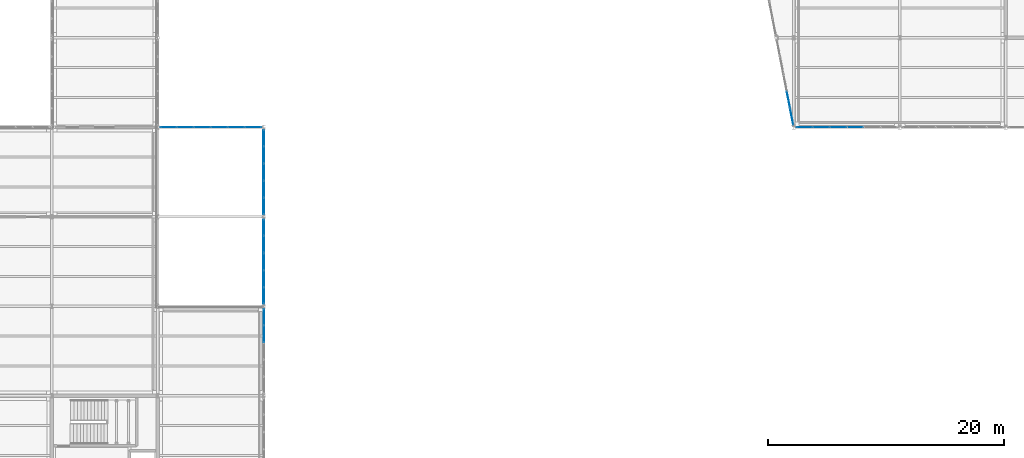
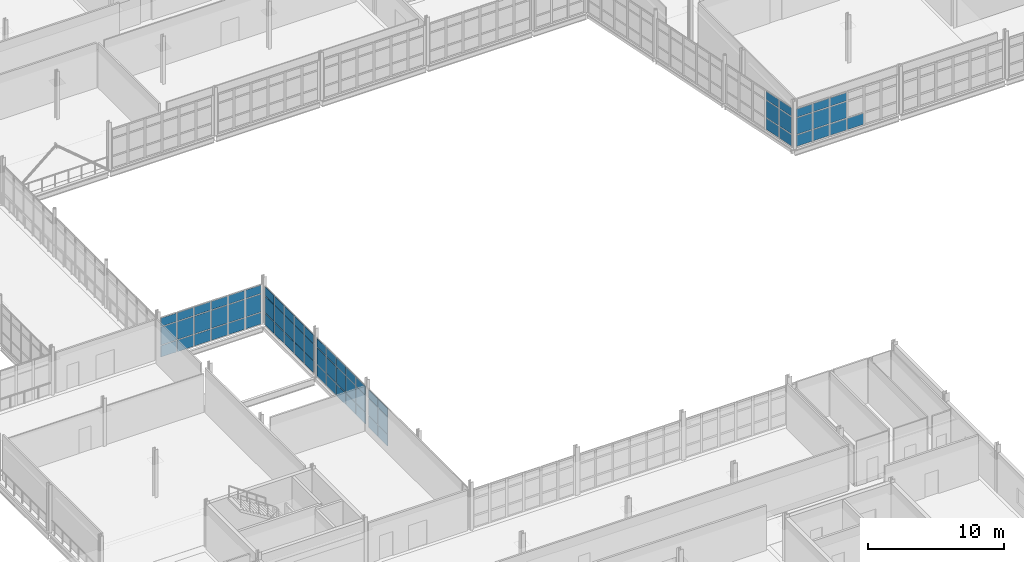
# One storey, part 133 of 174: 70 plates, 6 elements without a shape of their own.
"""IFC4 building model written with IfcOpenShell, lengths in metres."""

from ifc_helpers import new_model, si_unit, direction, frame, origin, origin_2d, place, context, subcontext, project, spatial, rectangle, extrude, material, layer, layer_set, type_object, element, aggregate, save


model = new_model("IFC4")

# Units and contexts
model_context = context("Model", 3, precision=1e-05, world=origin(), true_north=direction((0.0, 1.0)))
body_context = subcontext(model_context, "Body", "Model", "MODEL_VIEW")
ifc_project = project(units=[si_unit("LENGTHUNIT", "METRE"), si_unit("AREAUNIT", "SQUARE_METRE"), si_unit("VOLUMEUNIT", "CUBIC_METRE"), si_unit("PLANEANGLEUNIT", "RADIAN"), si_unit("MASSUNIT", "GRAM", prefix="KILO")], contexts=[model_context])

# Site, building, storey
site_placement = place(None, origin())
site = spatial("IfcSite", under=ifc_project, at=site_placement, CompositionType="ELEMENT")
building_placement = place(site_placement, origin())
building = spatial("IfcBuilding", under=site, at=building_placement, Name="Caisbarro Railhouse Central Library", CompositionType="ELEMENT")
storey_placement = place(building_placement, frame((0.0, 0.0, 5.0400390625)))
storey = spatial("IfcBuildingStorey", under=building, at=storey_placement, Name="L01", CompositionType="ELEMENT", Elevation=5.0400390625)

# Curtain wall, plates
ifc_material_1 = material(Name="Anodised architectural aluminium", Category="aluminium")
curtain_wall_type = type_object("IfcCurtainWallType", Name="CW-CW02", PredefinedType="NOTDEFINED", material=ifc_material_1)
curtain_wall_1_placement = place(storey_placement, origin())
curtain_wall_1 = element("IfcCurtainWall", 1, at=curtain_wall_1_placement, inside=storey, type_object=curtain_wall_type, Name="CW02 curtain wall L01 #110", PredefinedType="NOTDEFINED")
ifc_material_2 = material(Name="Double low-e laminated solar-control glass", Category="glass")
ifc_layer_1 = layer(ifc_material_2, 0.01806640625, Name="Double low-e laminated solar-control glass")
ifc_layer_set_1 = layer_set([ifc_layer_1], Name="Double low-e laminated solar-control glass")
plate_type_1 = type_object("IfcPlateType", Name="CWP-CP18", PredefinedType="CURTAIN_PANEL", material=ifc_layer_set_1)
plate_1_placement = place(storey_placement, frame((116.82421875, 61.7041015625, 0.06494140625), z_axis=(0.0, 0.0, 1.0), x_axis=(-0.190780945369, 0.981632635401, 0.0)))
plate_1 = element("IfcPlate", 2, at=plate_1_placement, type_object=plate_type_1, Name="CW02 panel 1.1", PredefinedType="CURTAIN_PANEL", context=body_context, shape_type="SweptSolid", body=[
    extrude(rectangle(XDim=1.371826171875, YDim=0.01806640625, at=origin_2d()), origin(), (0.0, 0.0, 1.0), 1.0224609375),
])
plate_2_placement = place(storey_placement, frame((116.82421875, 61.7041015625, 1.152587890625), z_axis=(0.0, 0.0, 1.0), x_axis=(-0.190780945369, 0.981632635401, 0.0)))
plate_2 = element("IfcPlate", 3, at=plate_2_placement, type_object=plate_type_1, Name="CW02 panel 1.2", PredefinedType="CURTAIN_PANEL", context=body_context, shape_type="SweptSolid", body=[
    extrude(rectangle(XDim=1.371826171875, YDim=0.01806640625, at=origin_2d()), origin(), (0.0, 0.0, 1.0), 1.52490234375),
])
plate_3_placement = place(storey_placement, frame((116.82421875, 61.7041015625, 2.742431640625), z_axis=(0.0, 0.0, 1.0), x_axis=(-0.190780945369, 0.981632635401, 0.0)))
plate_3 = element("IfcPlate", 4, at=plate_3_placement, type_object=plate_type_1, Name="CW02 panel 1.3", PredefinedType="CURTAIN_PANEL", context=body_context, shape_type="SweptSolid", body=[
    extrude(rectangle(XDim=1.371826171875, YDim=0.01806640625, at=origin_2d()), origin(), (0.0, 0.0, 1.0), 0.75244140625),
])
plate_4_placement = place(storey_placement, frame((116.544677734375, 63.142822265625, 0.06494140625), z_axis=(0.0, 0.0, 1.0), x_axis=(-0.190780945369, 0.981632635401, 0.0)))
plate_4 = element("IfcPlate", 5, at=plate_4_placement, type_object=plate_type_1, Name="CW02 panel 2.1", PredefinedType="CURTAIN_PANEL", context=body_context, shape_type="SweptSolid", body=[
    extrude(rectangle(XDim=1.409423828125, YDim=0.01806640625, at=origin_2d()), origin(), (0.0, 0.0, 1.0), 1.0224609375),
])
plate_5_placement = place(storey_placement, frame((116.544677734375, 63.142822265625, 1.152587890625), z_axis=(0.0, 0.0, 1.0), x_axis=(-0.190780945369, 0.981632635401, 0.0)))
plate_5 = element("IfcPlate", 6, at=plate_5_placement, type_object=plate_type_1, Name="CW02 panel 2.2", PredefinedType="CURTAIN_PANEL", context=body_context, shape_type="SweptSolid", body=[
    extrude(rectangle(XDim=1.409423828125, YDim=0.01806640625, at=origin_2d()), origin(), (0.0, 0.0, 1.0), 1.52490234375),
])
plate_6_placement = place(storey_placement, frame((116.544677734375, 63.142822265625, 2.742431640625), z_axis=(0.0, 0.0, 1.0), x_axis=(-0.190780945369, 0.981632635401, 0.0)))
plate_6 = element("IfcPlate", 7, at=plate_6_placement, type_object=plate_type_1, Name="CW02 panel 2.3", PredefinedType="CURTAIN_PANEL", context=body_context, shape_type="SweptSolid", body=[
    extrude(rectangle(XDim=1.409423828125, YDim=0.01806640625, at=origin_2d()), origin(), (0.0, 0.0, 1.0), 0.75244140625),
])
aggregate(curtain_wall_1, [plate_1, plate_2, plate_3, plate_4, plate_5, plate_6])

curtain_wall_2_placement = place(storey_placement, origin())
curtain_wall_2 = element("IfcCurtainWall", 8, at=curtain_wall_2_placement, inside=storey, type_object=curtain_wall_type, Name="CW02 curtain wall L01 #19", PredefinedType="NOTDEFINED")
ifc_layer_2 = layer(ifc_material_2, 0.028076171875, Name="Double low-e laminated solar-control glass")
ifc_layer_set_2 = layer_set([ifc_layer_2], Name="Double low-e laminated solar-control glass")
plate_type_2 = type_object("IfcPlateType", Name="CWP-CP28", PredefinedType="CURTAIN_PANEL", material=ifc_layer_set_2)
plate_7_placement = place(storey_placement, frame((63.902099609375, 60.800048828125, 0.06494140625), z_axis=(0.0, 0.0, 1.0), x_axis=(1.0, 0.0, 0.0)))
plate_7 = element("IfcPlate", 9, at=plate_7_placement, type_object=plate_type_2, Name="CW02 panel 1.1", PredefinedType="CURTAIN_PANEL", context=body_context, shape_type="SweptSolid", body=[
    extrude(rectangle(XDim=1.334228515625, YDim=0.028076171875, at=origin_2d()), origin(), (0.0, 0.0, 1.0), 1.0224609375),
])
plate_8_placement = place(storey_placement, frame((63.902099609375, 60.800048828125, 1.15234375), z_axis=(0.0, 0.0, 1.0), x_axis=(1.0, 0.0, 0.0)))
plate_8 = element("IfcPlate", 10, at=plate_8_placement, type_object=plate_type_2, Name="CW02 panel 1.2", PredefinedType="CURTAIN_PANEL", context=body_context, shape_type="SweptSolid", body=[
    extrude(rectangle(XDim=1.334228515625, YDim=0.028076171875, at=origin_2d()), origin(), (0.0, 0.0, 1.0), 1.594970703125),
])
plate_9_placement = place(storey_placement, frame((63.902099609375, 60.800048828125, 2.8125), z_axis=(0.0, 0.0, 1.0), x_axis=(1.0, 0.0, 0.0)))
plate_9 = element("IfcPlate", 11, at=plate_9_placement, type_object=plate_type_2, Name="CW02 panel 1.3", PredefinedType="CURTAIN_PANEL", context=body_context, shape_type="SweptSolid", body=[
    extrude(rectangle(XDim=1.334228515625, YDim=0.028076171875, at=origin_2d()), origin(), (0.0, 0.0, 1.0), 0.75244140625),
])
plate_10_placement = place(storey_placement, frame((65.330078125, 60.800048828125, 0.06494140625), z_axis=(0.0, 0.0, 1.0), x_axis=(1.0, 0.0, 0.0)))
plate_10 = element("IfcPlate", 12, at=plate_10_placement, type_object=plate_type_2, Name="CW02 panel 2.1", PredefinedType="CURTAIN_PANEL", context=body_context, shape_type="SweptSolid", body=[
    extrude(rectangle(XDim=1.37158203125, YDim=0.028076171875, at=origin_2d()), origin(), (0.0, 0.0, 1.0), 1.0224609375),
])
plate_11_placement = place(storey_placement, frame((65.330078125, 60.800048828125, 1.15234375), z_axis=(0.0, 0.0, 1.0), x_axis=(1.0, 0.0, 0.0)))
plate_11 = element("IfcPlate", 13, at=plate_11_placement, type_object=plate_type_2, Name="CW02 panel 2.2", PredefinedType="CURTAIN_PANEL", context=body_context, shape_type="SweptSolid", body=[
    extrude(rectangle(XDim=1.37158203125, YDim=0.028076171875, at=origin_2d()), origin(), (0.0, 0.0, 1.0), 1.594970703125),
])
plate_12_placement = place(storey_placement, frame((65.330078125, 60.800048828125, 2.8125), z_axis=(0.0, 0.0, 1.0), x_axis=(1.0, 0.0, 0.0)))
plate_12 = element("IfcPlate", 14, at=plate_12_placement, type_object=plate_type_2, Name="CW02 panel 2.3", PredefinedType="CURTAIN_PANEL", context=body_context, shape_type="SweptSolid", body=[
    extrude(rectangle(XDim=1.37158203125, YDim=0.028076171875, at=origin_2d()), origin(), (0.0, 0.0, 1.0), 0.75244140625),
])
plate_13_placement = place(storey_placement, frame((66.776611328125, 60.800048828125, 0.06494140625), z_axis=(0.0, 0.0, 1.0), x_axis=(1.0, 0.0, 0.0)))
plate_13 = element("IfcPlate", 15, at=plate_13_placement, type_object=plate_type_2, Name="CW02 panel 3.1", PredefinedType="CURTAIN_PANEL", context=body_context, shape_type="SweptSolid", body=[
    extrude(rectangle(XDim=1.37158203125, YDim=0.028076171875, at=origin_2d()), origin(), (0.0, 0.0, 1.0), 1.0224609375),
])
plate_14_placement = place(storey_placement, frame((66.776611328125, 60.800048828125, 1.15234375), z_axis=(0.0, 0.0, 1.0), x_axis=(1.0, 0.0, 0.0)))
plate_14 = element("IfcPlate", 16, at=plate_14_placement, type_object=plate_type_2, Name="CW02 panel 3.2", PredefinedType="CURTAIN_PANEL", context=body_context, shape_type="SweptSolid", body=[
    extrude(rectangle(XDim=1.37158203125, YDim=0.028076171875, at=origin_2d()), origin(), (0.0, 0.0, 1.0), 1.594970703125),
])
plate_15_placement = place(storey_placement, frame((66.776611328125, 60.800048828125, 2.8125), z_axis=(0.0, 0.0, 1.0), x_axis=(1.0, 0.0, 0.0)))
plate_15 = element("IfcPlate", 17, at=plate_15_placement, type_object=plate_type_2, Name="CW02 panel 3.3", PredefinedType="CURTAIN_PANEL", context=body_context, shape_type="SweptSolid", body=[
    extrude(rectangle(XDim=1.37158203125, YDim=0.028076171875, at=origin_2d()), origin(), (0.0, 0.0, 1.0), 0.75244140625),
])
plate_16_placement = place(storey_placement, frame((68.223388671875, 60.800048828125, 0.06494140625), z_axis=(0.0, 0.0, 1.0), x_axis=(1.0, 0.0, 0.0)))
plate_16 = element("IfcPlate", 18, at=plate_16_placement, type_object=plate_type_2, Name="CW02 panel 4.1", PredefinedType="CURTAIN_PANEL", context=body_context, shape_type="SweptSolid", body=[
    extrude(rectangle(XDim=1.37158203125, YDim=0.028076171875, at=origin_2d()), origin(), (0.0, 0.0, 1.0), 1.0224609375),
])
plate_17_placement = place(storey_placement, frame((68.223388671875, 60.800048828125, 1.15234375), z_axis=(0.0, 0.0, 1.0), x_axis=(1.0, 0.0, 0.0)))
plate_17 = element("IfcPlate", 19, at=plate_17_placement, type_object=plate_type_2, Name="CW02 panel 4.2", PredefinedType="CURTAIN_PANEL", context=body_context, shape_type="SweptSolid", body=[
    extrude(rectangle(XDim=1.37158203125, YDim=0.028076171875, at=origin_2d()), origin(), (0.0, 0.0, 1.0), 1.594970703125),
])
plate_18_placement = place(storey_placement, frame((68.223388671875, 60.800048828125, 2.8125), z_axis=(0.0, 0.0, 1.0), x_axis=(1.0, 0.0, 0.0)))
plate_18 = element("IfcPlate", 20, at=plate_18_placement, type_object=plate_type_2, Name="CW02 panel 4.3", PredefinedType="CURTAIN_PANEL", context=body_context, shape_type="SweptSolid", body=[
    extrude(rectangle(XDim=1.37158203125, YDim=0.028076171875, at=origin_2d()), origin(), (0.0, 0.0, 1.0), 0.75244140625),
])
plate_19_placement = place(storey_placement, frame((69.669921875, 60.800048828125, 0.06494140625), z_axis=(0.0, 0.0, 1.0), x_axis=(1.0, 0.0, 0.0)))
plate_19 = element("IfcPlate", 21, at=plate_19_placement, type_object=plate_type_2, Name="CW02 panel 5.1", PredefinedType="CURTAIN_PANEL", context=body_context, shape_type="SweptSolid", body=[
    extrude(rectangle(XDim=1.37158203125, YDim=0.028076171875, at=origin_2d()), origin(), (0.0, 0.0, 1.0), 1.0224609375),
])
plate_20_placement = place(storey_placement, frame((69.669921875, 60.800048828125, 1.15234375), z_axis=(0.0, 0.0, 1.0), x_axis=(1.0, 0.0, 0.0)))
plate_20 = element("IfcPlate", 22, at=plate_20_placement, type_object=plate_type_2, Name="CW02 panel 5.2", PredefinedType="CURTAIN_PANEL", context=body_context, shape_type="SweptSolid", body=[
    extrude(rectangle(XDim=1.37158203125, YDim=0.028076171875, at=origin_2d()), origin(), (0.0, 0.0, 1.0), 1.594970703125),
])
plate_21_placement = place(storey_placement, frame((69.669921875, 60.800048828125, 2.8125), z_axis=(0.0, 0.0, 1.0), x_axis=(1.0, 0.0, 0.0)))
plate_21 = element("IfcPlate", 23, at=plate_21_placement, type_object=plate_type_2, Name="CW02 panel 5.3", PredefinedType="CURTAIN_PANEL", context=body_context, shape_type="SweptSolid", body=[
    extrude(rectangle(XDim=1.37158203125, YDim=0.028076171875, at=origin_2d()), origin(), (0.0, 0.0, 1.0), 0.75244140625),
])
plate_22_placement = place(storey_placement, frame((71.097900390625, 60.800048828125, 0.06494140625), z_axis=(0.0, 0.0, 1.0), x_axis=(1.0, 0.0, 0.0)))
plate_22 = element("IfcPlate", 24, at=plate_22_placement, type_object=plate_type_2, Name="CW02 panel 6.1", PredefinedType="CURTAIN_PANEL", context=body_context, shape_type="SweptSolid", body=[
    extrude(rectangle(XDim=1.334228515625, YDim=0.028076171875, at=origin_2d()), origin(), (0.0, 0.0, 1.0), 1.0224609375),
])
plate_23_placement = place(storey_placement, frame((71.097900390625, 60.800048828125, 1.15234375), z_axis=(0.0, 0.0, 1.0), x_axis=(1.0, 0.0, 0.0)))
plate_23 = element("IfcPlate", 25, at=plate_23_placement, type_object=plate_type_2, Name="CW02 panel 6.2", PredefinedType="CURTAIN_PANEL", context=body_context, shape_type="SweptSolid", body=[
    extrude(rectangle(XDim=1.334228515625, YDim=0.028076171875, at=origin_2d()), origin(), (0.0, 0.0, 1.0), 1.594970703125),
])
plate_24_placement = place(storey_placement, frame((71.097900390625, 60.800048828125, 2.8125), z_axis=(0.0, 0.0, 1.0), x_axis=(1.0, 0.0, 0.0)))
plate_24 = element("IfcPlate", 26, at=plate_24_placement, type_object=plate_type_2, Name="CW02 panel 6.3", PredefinedType="CURTAIN_PANEL", context=body_context, shape_type="SweptSolid", body=[
    extrude(rectangle(XDim=1.334228515625, YDim=0.028076171875, at=origin_2d()), origin(), (0.0, 0.0, 1.0), 0.75244140625),
])
aggregate(curtain_wall_2, [plate_7, plate_8, plate_9, plate_10, plate_11, plate_12, plate_13, plate_14, plate_15, plate_16, plate_17, plate_18, plate_19, plate_20, plate_21, plate_22, plate_23, plate_24])

curtain_wall_3_placement = place(storey_placement, origin())
curtain_wall_3 = element("IfcCurtainWall", 27, at=curtain_wall_3_placement, inside=storey, type_object=curtain_wall_type, Name="CW02 curtain wall L01 #117", PredefinedType="NOTDEFINED")
plate_25_placement = place(storey_placement, frame((117.902099609375, 60.800048828125, 0.07470703125), z_axis=(0.0, 0.0, 1.0), x_axis=(1.0, 0.0, 0.0)))
plate_25 = element("IfcPlate", 28, at=plate_25_placement, type_object=plate_type_2, Name="CW02 panel 1.1", PredefinedType="CURTAIN_PANEL", context=body_context, shape_type="SweptSolid", body=[
    extrude(rectangle(XDim=1.334228515625, YDim=0.028076171875, at=origin_2d()), origin(), (0.0, 0.0, 1.0), 1.007568359375),
])
plate_26_placement = place(storey_placement, frame((117.902099609375, 60.800048828125, 1.1572265625), z_axis=(0.0, 0.0, 1.0), x_axis=(1.0, 0.0, 0.0)))
plate_26 = element("IfcPlate", 29, at=plate_26_placement, type_object=plate_type_2, Name="CW02 panel 1.2", PredefinedType="CURTAIN_PANEL", context=body_context, shape_type="SweptSolid", body=[
    extrude(rectangle(XDim=1.334228515625, YDim=0.028076171875, at=origin_2d()), origin(), (0.0, 0.0, 1.0), 1.465087890625),
])
plate_27_placement = place(storey_placement, frame((117.902099609375, 60.800048828125, 2.697265625), z_axis=(0.0, 0.0, 1.0), x_axis=(1.0, 0.0, 0.0)))
plate_27 = element("IfcPlate", 30, at=plate_27_placement, type_object=plate_type_2, Name="CW02 panel 1.3", PredefinedType="CURTAIN_PANEL", context=body_context, shape_type="SweptSolid", body=[
    extrude(rectangle(XDim=1.334228515625, YDim=0.028076171875, at=origin_2d()), origin(), (0.0, 0.0, 1.0), 0.737548828125),
])
plate_28_placement = place(storey_placement, frame((119.330078125, 60.800048828125, 0.07470703125), z_axis=(0.0, 0.0, 1.0), x_axis=(1.0, 0.0, 0.0)))
plate_28 = element("IfcPlate", 31, at=plate_28_placement, type_object=plate_type_2, Name="CW02 panel 2.1", PredefinedType="CURTAIN_PANEL", context=body_context, shape_type="SweptSolid", body=[
    extrude(rectangle(XDim=1.37158203125, YDim=0.028076171875, at=origin_2d()), origin(), (0.0, 0.0, 1.0), 1.007568359375),
])
plate_29_placement = place(storey_placement, frame((119.330078125, 60.800048828125, 1.1572265625), z_axis=(0.0, 0.0, 1.0), x_axis=(1.0, 0.0, 0.0)))
plate_29 = element("IfcPlate", 32, at=plate_29_placement, type_object=plate_type_2, Name="CW02 panel 2.2", PredefinedType="CURTAIN_PANEL", context=body_context, shape_type="SweptSolid", body=[
    extrude(rectangle(XDim=1.37158203125, YDim=0.028076171875, at=origin_2d()), origin(), (0.0, 0.0, 1.0), 1.465087890625),
])
plate_30_placement = place(storey_placement, frame((119.330078125, 60.800048828125, 2.697265625), z_axis=(0.0, 0.0, 1.0), x_axis=(1.0, 0.0, 0.0)))
plate_30 = element("IfcPlate", 33, at=plate_30_placement, type_object=plate_type_2, Name="CW02 panel 2.3", PredefinedType="CURTAIN_PANEL", context=body_context, shape_type="SweptSolid", body=[
    extrude(rectangle(XDim=1.37158203125, YDim=0.028076171875, at=origin_2d()), origin(), (0.0, 0.0, 1.0), 0.737548828125),
])
plate_31_placement = place(storey_placement, frame((120.776611328125, 60.800048828125, 0.07470703125), z_axis=(0.0, 0.0, 1.0), x_axis=(1.0, 0.0, 0.0)))
plate_31 = element("IfcPlate", 34, at=plate_31_placement, type_object=plate_type_2, Name="CW02 panel 3.1", PredefinedType="CURTAIN_PANEL", context=body_context, shape_type="SweptSolid", body=[
    extrude(rectangle(XDim=1.37158203125, YDim=0.028076171875, at=origin_2d()), origin(), (0.0, 0.0, 1.0), 1.007568359375),
])
plate_32_placement = place(storey_placement, frame((120.776611328125, 60.800048828125, 1.1572265625), z_axis=(0.0, 0.0, 1.0), x_axis=(1.0, 0.0, 0.0)))
plate_32 = element("IfcPlate", 35, at=plate_32_placement, type_object=plate_type_2, Name="CW02 panel 3.2", PredefinedType="CURTAIN_PANEL", context=body_context, shape_type="SweptSolid", body=[
    extrude(rectangle(XDim=1.37158203125, YDim=0.028076171875, at=origin_2d()), origin(), (0.0, 0.0, 1.0), 1.465087890625),
])
plate_33_placement = place(storey_placement, frame((120.776611328125, 60.800048828125, 2.697265625), z_axis=(0.0, 0.0, 1.0), x_axis=(1.0, 0.0, 0.0)))
plate_33 = element("IfcPlate", 36, at=plate_33_placement, type_object=plate_type_2, Name="CW02 panel 3.3", PredefinedType="CURTAIN_PANEL", context=body_context, shape_type="SweptSolid", body=[
    extrude(rectangle(XDim=1.37158203125, YDim=0.028076171875, at=origin_2d()), origin(), (0.0, 0.0, 1.0), 0.737548828125),
])
plate_34_placement = place(storey_placement, frame((122.223388671875, 60.800048828125, 0.07470703125), z_axis=(0.0, 0.0, 1.0), x_axis=(1.0, 0.0, 0.0)))
plate_34 = element("IfcPlate", 37, at=plate_34_placement, type_object=plate_type_2, Name="CW02 panel 4.1", PredefinedType="CURTAIN_PANEL", context=body_context, shape_type="SweptSolid", body=[
    extrude(rectangle(XDim=1.37158203125, YDim=0.028076171875, at=origin_2d()), origin(), (0.0, 0.0, 1.0), 1.007568359375),
])
aggregate(curtain_wall_3, [plate_25, plate_26, plate_27, plate_28, plate_29, plate_30, plate_31, plate_32, plate_33, plate_34])

curtain_wall_4_placement = place(storey_placement, origin())
curtain_wall_4 = element("IfcCurtainWall", 38, at=curtain_wall_4_placement, inside=storey, type_object=curtain_wall_type, Name="CW02 curtain wall L01 #31", PredefinedType="NOTDEFINED")
ifc_layer_3 = layer(ifc_material_2, 0.048095703125, Name="Double low-e laminated solar-control glass")
ifc_layer_set_3 = layer_set([ifc_layer_3], Name="Double low-e laminated solar-control glass")
plate_type_3 = type_object("IfcPlateType", Name="CWP-CP48", PredefinedType="CURTAIN_PANEL", material=ifc_layer_set_3)
plate_35_placement = place(storey_placement, frame((72.0, 43.256103515625, 0.06494140625), z_axis=(0.0, 0.0, 1.0), x_axis=(0.0, 1.0, 0.0)))
plate_35 = element("IfcPlate", 39, at=plate_35_placement, type_object=plate_type_3, Name="CW02 panel 4.1", PredefinedType="CURTAIN_PANEL", context=body_context, shape_type="SweptSolid", body=[
    extrude(rectangle(XDim=1.381103515625, YDim=0.048095703125, at=origin_2d()), origin(), (0.0, 0.0, 1.0), 1.0224609375),
])
plate_36_placement = place(storey_placement, frame((72.0, 43.256103515625, 1.15234375), z_axis=(0.0, 0.0, 1.0), x_axis=(0.0, 1.0, 0.0)))
plate_36 = element("IfcPlate", 40, at=plate_36_placement, type_object=plate_type_3, Name="CW02 panel 4.2", PredefinedType="CURTAIN_PANEL", context=body_context, shape_type="SweptSolid", body=[
    extrude(rectangle(XDim=1.381103515625, YDim=0.048095703125, at=origin_2d()), origin(), (0.0, 0.0, 1.0), 1.47509765625),
])
plate_37_placement = place(storey_placement, frame((72.0, 43.256103515625, 2.6923828125), z_axis=(0.0, 0.0, 1.0), x_axis=(0.0, 1.0, 0.0)))
plate_37 = element("IfcPlate", 41, at=plate_37_placement, type_object=plate_type_3, Name="CW02 panel 4.3", PredefinedType="CURTAIN_PANEL", context=body_context, shape_type="SweptSolid", body=[
    extrude(rectangle(XDim=1.381103515625, YDim=0.048095703125, at=origin_2d()), origin(), (0.0, 0.0, 1.0), 0.75244140625),
])
plate_38_placement = place(storey_placement, frame((72.0, 44.693359375, 0.06494140625), z_axis=(0.0, 0.0, 1.0), x_axis=(0.0, 1.0, 0.0)))
plate_38 = element("IfcPlate", 42, at=plate_38_placement, type_object=plate_type_3, Name="CW02 panel 5.1", PredefinedType="CURTAIN_PANEL", context=body_context, shape_type="SweptSolid", body=[
    extrude(rectangle(XDim=1.343505859375, YDim=0.048095703125, at=origin_2d()), origin(), (0.0, 0.0, 1.0), 1.0224609375),
])
plate_39_placement = place(storey_placement, frame((72.0, 44.693359375, 1.15234375), z_axis=(0.0, 0.0, 1.0), x_axis=(0.0, 1.0, 0.0)))
plate_39 = element("IfcPlate", 43, at=plate_39_placement, type_object=plate_type_3, Name="CW02 panel 5.2", PredefinedType="CURTAIN_PANEL", context=body_context, shape_type="SweptSolid", body=[
    extrude(rectangle(XDim=1.343505859375, YDim=0.048095703125, at=origin_2d()), origin(), (0.0, 0.0, 1.0), 1.47509765625),
])
plate_40_placement = place(storey_placement, frame((72.0, 44.693359375, 2.6923828125), z_axis=(0.0, 0.0, 1.0), x_axis=(0.0, 1.0, 0.0)))
plate_40 = element("IfcPlate", 44, at=plate_40_placement, type_object=plate_type_3, Name="CW02 panel 5.3", PredefinedType="CURTAIN_PANEL", context=body_context, shape_type="SweptSolid", body=[
    extrude(rectangle(XDim=1.343505859375, YDim=0.048095703125, at=origin_2d()), origin(), (0.0, 0.0, 1.0), 0.75244140625),
])
aggregate(curtain_wall_4, [plate_35, plate_36, plate_37, plate_38, plate_39, plate_40])

curtain_wall_5_placement = place(storey_placement, origin())
curtain_wall_5 = element("IfcCurtainWall", 45, at=curtain_wall_5_placement, inside=storey, type_object=curtain_wall_type, Name="CW02 curtain wall L01 #32", PredefinedType="NOTDEFINED")
ifc_layer_4 = layer(ifc_material_2, 0.05810546875, Name="Double low-e laminated solar-control glass")
ifc_layer_set_4 = layer_set([ifc_layer_4], Name="Double low-e laminated solar-control glass")
plate_type_4 = type_object("IfcPlateType", Name="CWP-CP58", PredefinedType="CURTAIN_PANEL", material=ifc_layer_set_4)
plate_41_placement = place(storey_placement, frame((72.0, 46.5068359375, 0.06494140625), z_axis=(0.0, 0.0, 1.0), x_axis=(0.0, 1.0, 0.0)))
plate_41 = element("IfcPlate", 46, at=plate_41_placement, type_object=plate_type_4, Name="CW02 panel 1.1", PredefinedType="CURTAIN_PANEL", context=body_context, shape_type="SweptSolid", body=[
    extrude(rectangle(XDim=1.343505859375, YDim=0.05810546875, at=origin_2d()), origin(), (0.0, 0.0, 1.0), 1.0224609375),
])
plate_42_placement = place(storey_placement, frame((72.0, 46.5068359375, 1.15234375), z_axis=(0.0, 0.0, 1.0), x_axis=(0.0, 1.0, 0.0)))
plate_42 = element("IfcPlate", 47, at=plate_42_placement, type_object=plate_type_4, Name="CW02 panel 1.2", PredefinedType="CURTAIN_PANEL", context=body_context, shape_type="SweptSolid", body=[
    extrude(rectangle(XDim=1.343505859375, YDim=0.05810546875, at=origin_2d()), origin(), (0.0, 0.0, 1.0), 1.47509765625),
])
plate_43_placement = place(storey_placement, frame((72.0, 46.5068359375, 2.6923828125), z_axis=(0.0, 0.0, 1.0), x_axis=(0.0, 1.0, 0.0)))
plate_43 = element("IfcPlate", 48, at=plate_43_placement, type_object=plate_type_4, Name="CW02 panel 1.3", PredefinedType="CURTAIN_PANEL", context=body_context, shape_type="SweptSolid", body=[
    extrude(rectangle(XDim=1.343505859375, YDim=0.05810546875, at=origin_2d()), origin(), (0.0, 0.0, 1.0), 0.75244140625),
])
plate_44_placement = place(storey_placement, frame((72.0, 47.944091796875, 0.06494140625), z_axis=(0.0, 0.0, 1.0), x_axis=(0.0, 1.0, 0.0)))
plate_44 = element("IfcPlate", 49, at=plate_44_placement, type_object=plate_type_4, Name="CW02 panel 2.1", PredefinedType="CURTAIN_PANEL", context=body_context, shape_type="SweptSolid", body=[
    extrude(rectangle(XDim=1.381103515625, YDim=0.05810546875, at=origin_2d()), origin(), (0.0, 0.0, 1.0), 1.0224609375),
])
plate_45_placement = place(storey_placement, frame((72.0, 47.944091796875, 1.15234375), z_axis=(0.0, 0.0, 1.0), x_axis=(0.0, 1.0, 0.0)))
plate_45 = element("IfcPlate", 50, at=plate_45_placement, type_object=plate_type_4, Name="CW02 panel 2.2", PredefinedType="CURTAIN_PANEL", context=body_context, shape_type="SweptSolid", body=[
    extrude(rectangle(XDim=1.381103515625, YDim=0.05810546875, at=origin_2d()), origin(), (0.0, 0.0, 1.0), 1.47509765625),
])
plate_46_placement = place(storey_placement, frame((72.0, 47.944091796875, 2.6923828125), z_axis=(0.0, 0.0, 1.0), x_axis=(0.0, 1.0, 0.0)))
plate_46 = element("IfcPlate", 51, at=plate_46_placement, type_object=plate_type_4, Name="CW02 panel 2.3", PredefinedType="CURTAIN_PANEL", context=body_context, shape_type="SweptSolid", body=[
    extrude(rectangle(XDim=1.381103515625, YDim=0.05810546875, at=origin_2d()), origin(), (0.0, 0.0, 1.0), 0.75244140625),
])
plate_47_placement = place(storey_placement, frame((72.0, 49.39990234375, 0.06494140625), z_axis=(0.0, 0.0, 1.0), x_axis=(0.0, 1.0, 0.0)))
plate_47 = element("IfcPlate", 52, at=plate_47_placement, type_object=plate_type_4, Name="CW02 panel 3.1", PredefinedType="CURTAIN_PANEL", context=body_context, shape_type="SweptSolid", body=[
    extrude(rectangle(XDim=1.381103515625, YDim=0.05810546875, at=origin_2d()), origin(), (0.0, 0.0, 1.0), 1.0224609375),
])
plate_48_placement = place(storey_placement, frame((72.0, 49.39990234375, 1.15234375), z_axis=(0.0, 0.0, 1.0), x_axis=(0.0, 1.0, 0.0)))
plate_48 = element("IfcPlate", 53, at=plate_48_placement, type_object=plate_type_4, Name="CW02 panel 3.2", PredefinedType="CURTAIN_PANEL", context=body_context, shape_type="SweptSolid", body=[
    extrude(rectangle(XDim=1.381103515625, YDim=0.05810546875, at=origin_2d()), origin(), (0.0, 0.0, 1.0), 1.47509765625),
])
plate_49_placement = place(storey_placement, frame((72.0, 49.39990234375, 2.6923828125), z_axis=(0.0, 0.0, 1.0), x_axis=(0.0, 1.0, 0.0)))
plate_49 = element("IfcPlate", 54, at=plate_49_placement, type_object=plate_type_4, Name="CW02 panel 3.3", PredefinedType="CURTAIN_PANEL", context=body_context, shape_type="SweptSolid", body=[
    extrude(rectangle(XDim=1.381103515625, YDim=0.05810546875, at=origin_2d()), origin(), (0.0, 0.0, 1.0), 0.75244140625),
])
plate_50_placement = place(storey_placement, frame((72.0, 50.85595703125, 0.06494140625), z_axis=(0.0, 0.0, 1.0), x_axis=(0.0, 1.0, 0.0)))
plate_50 = element("IfcPlate", 55, at=plate_50_placement, type_object=plate_type_4, Name="CW02 panel 4.1", PredefinedType="CURTAIN_PANEL", context=body_context, shape_type="SweptSolid", body=[
    extrude(rectangle(XDim=1.381103515625, YDim=0.05810546875, at=origin_2d()), origin(), (0.0, 0.0, 1.0), 1.0224609375),
])
plate_51_placement = place(storey_placement, frame((72.0, 50.85595703125, 1.15234375), z_axis=(0.0, 0.0, 1.0), x_axis=(0.0, 1.0, 0.0)))
plate_51 = element("IfcPlate", 56, at=plate_51_placement, type_object=plate_type_4, Name="CW02 panel 4.2", PredefinedType="CURTAIN_PANEL", context=body_context, shape_type="SweptSolid", body=[
    extrude(rectangle(XDim=1.381103515625, YDim=0.05810546875, at=origin_2d()), origin(), (0.0, 0.0, 1.0), 1.47509765625),
])
plate_52_placement = place(storey_placement, frame((72.0, 50.85595703125, 2.6923828125), z_axis=(0.0, 0.0, 1.0), x_axis=(0.0, 1.0, 0.0)))
plate_52 = element("IfcPlate", 57, at=plate_52_placement, type_object=plate_type_4, Name="CW02 panel 4.3", PredefinedType="CURTAIN_PANEL", context=body_context, shape_type="SweptSolid", body=[
    extrude(rectangle(XDim=1.381103515625, YDim=0.05810546875, at=origin_2d()), origin(), (0.0, 0.0, 1.0), 0.75244140625),
])
plate_53_placement = place(storey_placement, frame((72.0, 52.293212890625, 0.06494140625), z_axis=(0.0, 0.0, 1.0), x_axis=(0.0, 1.0, 0.0)))
plate_53 = element("IfcPlate", 58, at=plate_53_placement, type_object=plate_type_4, Name="CW02 panel 5.1", PredefinedType="CURTAIN_PANEL", context=body_context, shape_type="SweptSolid", body=[
    extrude(rectangle(XDim=1.343505859375, YDim=0.05810546875, at=origin_2d()), origin(), (0.0, 0.0, 1.0), 1.0224609375),
])
plate_54_placement = place(storey_placement, frame((72.0, 52.293212890625, 1.15234375), z_axis=(0.0, 0.0, 1.0), x_axis=(0.0, 1.0, 0.0)))
plate_54 = element("IfcPlate", 59, at=plate_54_placement, type_object=plate_type_4, Name="CW02 panel 5.2", PredefinedType="CURTAIN_PANEL", context=body_context, shape_type="SweptSolid", body=[
    extrude(rectangle(XDim=1.343505859375, YDim=0.05810546875, at=origin_2d()), origin(), (0.0, 0.0, 1.0), 1.47509765625),
])
plate_55_placement = place(storey_placement, frame((72.0, 52.293212890625, 2.6923828125), z_axis=(0.0, 0.0, 1.0), x_axis=(0.0, 1.0, 0.0)))
plate_55 = element("IfcPlate", 60, at=plate_55_placement, type_object=plate_type_4, Name="CW02 panel 5.3", PredefinedType="CURTAIN_PANEL", context=body_context, shape_type="SweptSolid", body=[
    extrude(rectangle(XDim=1.343505859375, YDim=0.05810546875, at=origin_2d()), origin(), (0.0, 0.0, 1.0), 0.75244140625),
])
aggregate(curtain_wall_5, [plate_41, plate_42, plate_43, plate_44, plate_45, plate_46, plate_47, plate_48, plate_49, plate_50, plate_51, plate_52, plate_53, plate_54, plate_55])

curtain_wall_6_placement = place(storey_placement, origin())
curtain_wall_6 = element("IfcCurtainWall", 61, at=curtain_wall_6_placement, inside=storey, type_object=curtain_wall_type, Name="CW02 curtain wall L01 #33", PredefinedType="NOTDEFINED")
ifc_layer_5 = layer(ifc_material_2, 0.068115234375, Name="Double low-e laminated solar-control glass")
ifc_layer_set_5 = layer_set([ifc_layer_5], Name="Double low-e laminated solar-control glass")
plate_type_5 = type_object("IfcPlateType", Name="CWP-CP68", PredefinedType="CURTAIN_PANEL", material=ifc_layer_set_5)
plate_56_placement = place(storey_placement, frame((72.0, 54.106689453125, 0.06494140625), z_axis=(0.0, 0.0, 1.0), x_axis=(0.0, 1.0, 0.0)))
plate_56 = element("IfcPlate", 62, at=plate_56_placement, type_object=plate_type_5, Name="CW02 panel 1.1", PredefinedType="CURTAIN_PANEL", context=body_context, shape_type="SweptSolid", body=[
    extrude(rectangle(XDim=1.343505859375, YDim=0.068115234375, at=origin_2d()), origin(), (0.0, 0.0, 1.0), 1.0224609375),
])
plate_57_placement = place(storey_placement, frame((72.0, 54.106689453125, 1.15234375), z_axis=(0.0, 0.0, 1.0), x_axis=(0.0, 1.0, 0.0)))
plate_57 = element("IfcPlate", 63, at=plate_57_placement, type_object=plate_type_5, Name="CW02 panel 1.2", PredefinedType="CURTAIN_PANEL", context=body_context, shape_type="SweptSolid", body=[
    extrude(rectangle(XDim=1.343505859375, YDim=0.068115234375, at=origin_2d()), origin(), (0.0, 0.0, 1.0), 1.47509765625),
])
plate_58_placement = place(storey_placement, frame((72.0, 54.106689453125, 2.6923828125), z_axis=(0.0, 0.0, 1.0), x_axis=(0.0, 1.0, 0.0)))
plate_58 = element("IfcPlate", 64, at=plate_58_placement, type_object=plate_type_5, Name="CW02 panel 1.3", PredefinedType="CURTAIN_PANEL", context=body_context, shape_type="SweptSolid", body=[
    extrude(rectangle(XDim=1.343505859375, YDim=0.068115234375, at=origin_2d()), origin(), (0.0, 0.0, 1.0), 0.75244140625),
])
plate_59_placement = place(storey_placement, frame((72.0, 55.5439453125, 0.06494140625), z_axis=(0.0, 0.0, 1.0), x_axis=(0.0, 1.0, 0.0)))
plate_59 = element("IfcPlate", 65, at=plate_59_placement, type_object=plate_type_5, Name="CW02 panel 2.1", PredefinedType="CURTAIN_PANEL", context=body_context, shape_type="SweptSolid", body=[
    extrude(rectangle(XDim=1.381103515625, YDim=0.068115234375, at=origin_2d()), origin(), (0.0, 0.0, 1.0), 1.0224609375),
])
plate_60_placement = place(storey_placement, frame((72.0, 55.5439453125, 1.15234375), z_axis=(0.0, 0.0, 1.0), x_axis=(0.0, 1.0, 0.0)))
plate_60 = element("IfcPlate", 66, at=plate_60_placement, type_object=plate_type_5, Name="CW02 panel 2.2", PredefinedType="CURTAIN_PANEL", context=body_context, shape_type="SweptSolid", body=[
    extrude(rectangle(XDim=1.381103515625, YDim=0.068115234375, at=origin_2d()), origin(), (0.0, 0.0, 1.0), 1.47509765625),
])
plate_61_placement = place(storey_placement, frame((72.0, 55.5439453125, 2.6923828125), z_axis=(0.0, 0.0, 1.0), x_axis=(0.0, 1.0, 0.0)))
plate_61 = element("IfcPlate", 67, at=plate_61_placement, type_object=plate_type_5, Name="CW02 panel 2.3", PredefinedType="CURTAIN_PANEL", context=body_context, shape_type="SweptSolid", body=[
    extrude(rectangle(XDim=1.381103515625, YDim=0.068115234375, at=origin_2d()), origin(), (0.0, 0.0, 1.0), 0.75244140625),
])
plate_62_placement = place(storey_placement, frame((72.0, 57.0, 0.06494140625), z_axis=(0.0, 0.0, 1.0), x_axis=(0.0, 1.0, 0.0)))
plate_62 = element("IfcPlate", 68, at=plate_62_placement, type_object=plate_type_5, Name="CW02 panel 3.1", PredefinedType="CURTAIN_PANEL", context=body_context, shape_type="SweptSolid", body=[
    extrude(rectangle(XDim=1.381103515625, YDim=0.068115234375, at=origin_2d()), origin(), (0.0, 0.0, 1.0), 1.0224609375),
])
plate_63_placement = place(storey_placement, frame((72.0, 57.0, 1.15234375), z_axis=(0.0, 0.0, 1.0), x_axis=(0.0, 1.0, 0.0)))
plate_63 = element("IfcPlate", 69, at=plate_63_placement, type_object=plate_type_5, Name="CW02 panel 3.2", PredefinedType="CURTAIN_PANEL", context=body_context, shape_type="SweptSolid", body=[
    extrude(rectangle(XDim=1.381103515625, YDim=0.068115234375, at=origin_2d()), origin(), (0.0, 0.0, 1.0), 1.47509765625),
])
plate_64_placement = place(storey_placement, frame((72.0, 57.0, 2.6923828125), z_axis=(0.0, 0.0, 1.0), x_axis=(0.0, 1.0, 0.0)))
plate_64 = element("IfcPlate", 70, at=plate_64_placement, type_object=plate_type_5, Name="CW02 panel 3.3", PredefinedType="CURTAIN_PANEL", context=body_context, shape_type="SweptSolid", body=[
    extrude(rectangle(XDim=1.381103515625, YDim=0.068115234375, at=origin_2d()), origin(), (0.0, 0.0, 1.0), 0.75244140625),
])
plate_65_placement = place(storey_placement, frame((72.0, 58.4560546875, 0.06494140625), z_axis=(0.0, 0.0, 1.0), x_axis=(0.0, 1.0, 0.0)))
plate_65 = element("IfcPlate", 71, at=plate_65_placement, type_object=plate_type_5, Name="CW02 panel 4.1", PredefinedType="CURTAIN_PANEL", context=body_context, shape_type="SweptSolid", body=[
    extrude(rectangle(XDim=1.381103515625, YDim=0.068115234375, at=origin_2d()), origin(), (0.0, 0.0, 1.0), 1.0224609375),
])
plate_66_placement = place(storey_placement, frame((72.0, 58.4560546875, 1.15234375), z_axis=(0.0, 0.0, 1.0), x_axis=(0.0, 1.0, 0.0)))
plate_66 = element("IfcPlate", 72, at=plate_66_placement, type_object=plate_type_5, Name="CW02 panel 4.2", PredefinedType="CURTAIN_PANEL", context=body_context, shape_type="SweptSolid", body=[
    extrude(rectangle(XDim=1.381103515625, YDim=0.068115234375, at=origin_2d()), origin(), (0.0, 0.0, 1.0), 1.47509765625),
])
plate_67_placement = place(storey_placement, frame((72.0, 58.4560546875, 2.6923828125), z_axis=(0.0, 0.0, 1.0), x_axis=(0.0, 1.0, 0.0)))
plate_67 = element("IfcPlate", 73, at=plate_67_placement, type_object=plate_type_5, Name="CW02 panel 4.3", PredefinedType="CURTAIN_PANEL", context=body_context, shape_type="SweptSolid", body=[
    extrude(rectangle(XDim=1.381103515625, YDim=0.068115234375, at=origin_2d()), origin(), (0.0, 0.0, 1.0), 0.75244140625),
])
plate_68_placement = place(storey_placement, frame((72.0, 59.893310546875, 0.06494140625), z_axis=(0.0, 0.0, 1.0), x_axis=(0.0, 1.0, 0.0)))
plate_68 = element("IfcPlate", 74, at=plate_68_placement, type_object=plate_type_5, Name="CW02 panel 5.1", PredefinedType="CURTAIN_PANEL", context=body_context, shape_type="SweptSolid", body=[
    extrude(rectangle(XDim=1.343505859375, YDim=0.068115234375, at=origin_2d()), origin(), (0.0, 0.0, 1.0), 1.0224609375),
])
plate_69_placement = place(storey_placement, frame((72.0, 59.893310546875, 1.15234375), z_axis=(0.0, 0.0, 1.0), x_axis=(0.0, 1.0, 0.0)))
plate_69 = element("IfcPlate", 75, at=plate_69_placement, type_object=plate_type_5, Name="CW02 panel 5.2", PredefinedType="CURTAIN_PANEL", context=body_context, shape_type="SweptSolid", body=[
    extrude(rectangle(XDim=1.343505859375, YDim=0.068115234375, at=origin_2d()), origin(), (0.0, 0.0, 1.0), 1.47509765625),
])
plate_70_placement = place(storey_placement, frame((72.0, 59.893310546875, 2.6923828125), z_axis=(0.0, 0.0, 1.0), x_axis=(0.0, 1.0, 0.0)))
plate_70 = element("IfcPlate", 76, at=plate_70_placement, type_object=plate_type_5, Name="CW02 panel 5.3", PredefinedType="CURTAIN_PANEL", context=body_context, shape_type="SweptSolid", body=[
    extrude(rectangle(XDim=1.343505859375, YDim=0.068115234375, at=origin_2d()), origin(), (0.0, 0.0, 1.0), 0.75244140625),
])
aggregate(curtain_wall_6, [plate_56, plate_57, plate_58, plate_59, plate_60, plate_61, plate_62, plate_63, plate_64, plate_65, plate_66, plate_67, plate_68, plate_69, plate_70])

save(model, "model.ifc")
